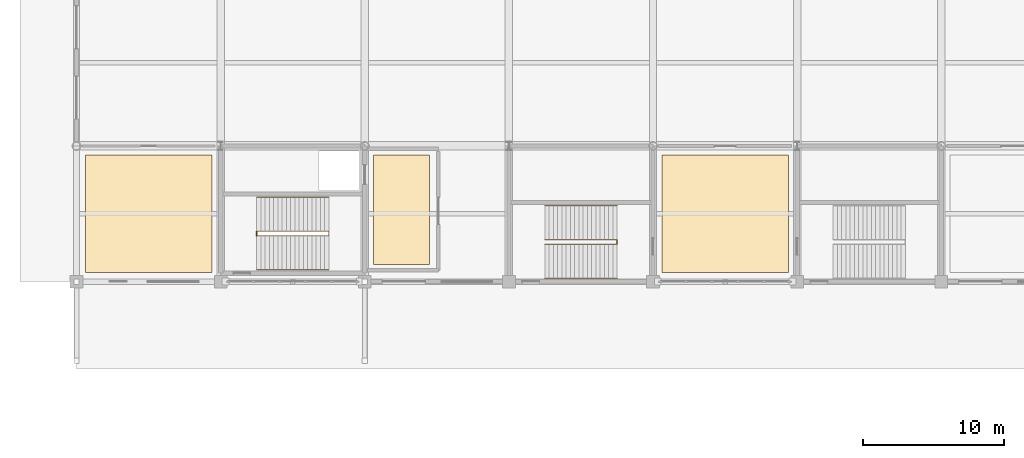
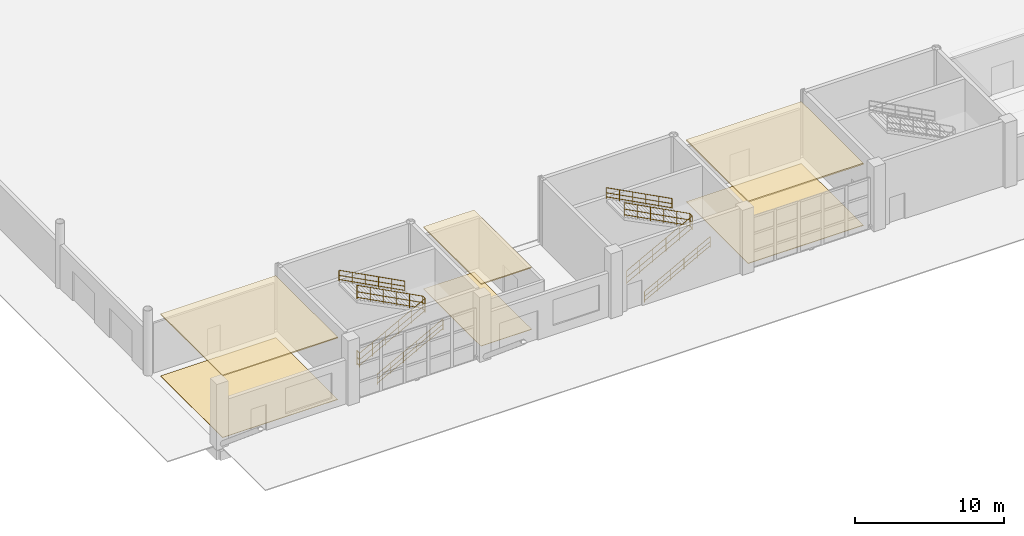
# One storey, part 108 of 124: 7 railings, 6 coverings.
"""IFC4 building model written with IfcOpenShell, lengths in metres."""

from ifc_helpers import new_model, si_unit, direction, frame, origin, origin_2d, place, context, subcontext, project, spatial, polyline, circle, outline, extrude, material, layer, layer_set, type_object, element, save


model = new_model("IFC4")

# Units and contexts
model_context = context("Model", 3, precision=1e-05, world=origin(), true_north=direction((0.0, 1.0)))
body_context = subcontext(model_context, "Body", "Model", "MODEL_VIEW")
ifc_project = project(units=[si_unit("LENGTHUNIT", "METRE"), si_unit("AREAUNIT", "SQUARE_METRE"), si_unit("VOLUMEUNIT", "CUBIC_METRE"), si_unit("PLANEANGLEUNIT", "RADIAN"), si_unit("MASSUNIT", "GRAM", prefix="KILO")], contexts=[model_context])

# Site, building, storey
site_placement = place(None, origin())
site = spatial("IfcSite", under=ifc_project, at=site_placement, CompositionType="ELEMENT")
building_placement = place(site_placement, origin())
building = spatial("IfcBuilding", under=site, at=building_placement, Name="Brelvane Convention Centre", CompositionType="ELEMENT")
storey_placement = place(building_placement, origin())
storey = spatial("IfcBuildingStorey", under=building, at=storey_placement, Name="L00", CompositionType="ELEMENT", Elevation=0.0)

# Coverings
ifc_material_1 = material(Name="Perforated Anodised Aluminium Alloy 6063 Acoustic Baffle", Category="aluminium")
ifc_layer_1 = layer(ifc_material_1, 0.110107421875)
ifc_layer_set_1 = layer_set([ifc_layer_1], Name="Perforated Anodised Aluminium Alloy 6063 Acoustic Baffle")
covering_type_1 = type_object("IfcCoveringType", Name="Interior Finish CL-BAF-110", PredefinedType="CEILING", material=ifc_layer_set_1)
covering_1_placement = place(storey_placement, frame((0.0, 0.0, 5.030029296875)))
element("IfcCovering", 1, at=covering_1_placement, inside=storey, type_object=covering_type_1, Name="Pre-function Foyer West Acoustic Ceiling (CL-BAF-110)", PredefinedType="CEILING", context=body_context, shape_type="SweptSolid", body=[
    extrude(outline(polyline([(41.429931640625, 19.830078125), (50.3701171875, 19.830078125), (50.3701171875, 28.169921875), (41.429931640625, 28.169921875), (41.429931640625, 19.830078125)])), origin(), (0.0, 0.0, 1.0), 0.10986328125),
])
ifc_material_2 = material(Name="Perforated Anodised Aluminium Alloy 6063 Acoustic Baffle", Category="aluminium")
ifc_layer_2 = layer(ifc_material_2, 0.090087890625)
ifc_layer_set_2 = layer_set([ifc_layer_2], Name="Perforated Anodised Aluminium Alloy 6063 Acoustic Baffle")
covering_type_2 = type_object("IfcCoveringType", Name="Interior Finish CL-BAF-90", PredefinedType="CEILING", material=ifc_layer_set_2)
covering_2_placement = place(storey_placement, frame((0.0, 0.0, 5.050048828125)))
element("IfcCovering", 2, at=covering_2_placement, inside=storey, type_object=covering_type_2, Name="Firefighting Lift Lobby C1 Acoustic Ceiling (CL-BAF-90)", PredefinedType="CEILING", context=body_context, shape_type="SweptSolid", body=[
    extrude(outline(polyline([(21.030029296875, 20.429931640625), (24.969970703125, 20.429931640625), (24.969970703125, 28.169921875), (21.030029296875, 28.169921875), (21.030029296875, 20.429931640625)])), origin(), (0.0, 0.0, 1.0), 0.08984375),
])
covering_3_placement = place(storey_placement, frame((0.0, 0.0, 5.050048828125)))
element("IfcCovering", 3, at=covering_3_placement, inside=storey, type_object=covering_type_2, Name="Fire Command Centre Acoustic Ceiling (CL-BAF-90)", PredefinedType="CEILING", context=body_context, shape_type="SweptSolid", body=[
    extrude(outline(polyline([(0.6298828125, 19.830078125), (9.570068359375, 19.830078125), (9.570068359375, 28.169921875), (0.6298828125, 28.169921875), (0.6298828125, 19.830078125)])), origin(), (0.0, 0.0, 1.0), 0.08984375),
])
ifc_material_3 = material(Name="Heavy-Duty Quartz-Filled Industrial Epoxy Screed Grade A")
ifc_layer_3 = layer(ifc_material_3, 0.034912109375)
ifc_layer_set_3 = layer_set([ifc_layer_3], Name="Heavy-Duty Quartz-Filled Industrial Epoxy Screed Grade A")
covering_type_3 = type_object("IfcCoveringType", Name="Interior Finish FL-EPX-35", PredefinedType="FLOORING", material=ifc_layer_set_3)
covering_4_placement = place(storey_placement, origin())
element("IfcCovering", 4, at=covering_4_placement, inside=storey, type_object=covering_type_3, Name="Firefighting Lift Lobby C1 Floor Finish (FL-EPX-35)", PredefinedType="FLOORING", context=body_context, shape_type="SweptSolid", body=[
    extrude(outline(polyline([(21.030029296875, 20.429931640625), (24.969970703125, 20.429931640625), (24.969970703125, 28.169921875), (21.030029296875, 28.169921875), (21.030029296875, 20.429931640625)])), origin(), (0.0, 0.0, 1.0), 0.034912109375),
])
covering_5_placement = place(storey_placement, origin())
element("IfcCovering", 5, at=covering_5_placement, inside=storey, type_object=covering_type_3, Name="Fire Command Centre Floor Finish (FL-EPX-35)", PredefinedType="FLOORING", context=body_context, shape_type="SweptSolid", body=[
    extrude(outline(polyline([(0.6298828125, 19.830078125), (9.570068359375, 19.830078125), (9.570068359375, 28.169921875), (0.6298828125, 28.169921875), (0.6298828125, 19.830078125)])), origin(), (0.0, 0.0, 1.0), 0.034912109375),
])
ifc_material_4 = material(Name="Heavy-Duty Quartz-Filled Industrial Epoxy Screed Grade A")
ifc_layer_4 = layer(ifc_material_4, 0.044921875)
ifc_layer_set_4 = layer_set([ifc_layer_4], Name="Heavy-Duty Quartz-Filled Industrial Epoxy Screed Grade A")
covering_type_4 = type_object("IfcCoveringType", Name="Interior Finish FL-EPX-45", PredefinedType="FLOORING", material=ifc_layer_set_4)
covering_6_placement = place(storey_placement, origin())
element("IfcCovering", 6, at=covering_6_placement, inside=storey, type_object=covering_type_4, Name="Pre-function Foyer West Floor Finish (FL-EPX-45)", PredefinedType="FLOORING", context=body_context, shape_type="SweptSolid", body=[
    extrude(outline(polyline([(41.429931640625, 19.830078125), (50.3701171875, 19.830078125), (50.3701171875, 28.169921875), (41.429931640625, 28.169921875), (41.429931640625, 19.830078125)])), origin(), (0.0, 0.0, 1.0), 0.044921875),
])

# Railings
ifc_material_5 = material(Name="Steel E350 (350 MPa)", Category="steel")
railing_type_1 = type_object("IfcRailingType", Name="Stair Railing GR-ST-1", PredefinedType="GUARDRAIL", material=ifc_material_5)
railing_1_placement = place(storey_placement, frame((12.75, 22.43994140625, -0.02001953125)))
element("IfcRailing", 7, at=railing_1_placement, inside=storey, type_object=railing_type_1, Name="Stair ST-01 L00 Inner Well Guard", PredefinedType="GUARDRAIL", context=body_context, shape_type="SweptSolid", body=[
    extrude(circle(Radius=0.02392578125, at=origin_2d()), frame((0.0, 0.0, 1.1259765625), z_axis=(0.882358787245, 0.0, 0.470577273753), x_axis=(0.0, 1.0, 0.0)), (0.0, 0.0, 1.0), 5.780029296875),
    extrude(circle(Radius=0.02392578125, at=origin_2d()), frame((0.0, 0.0, 0.597900390625), z_axis=(0.882358787245, 0.0, 0.470577273753), x_axis=(0.0, 1.0, 0.0)), (0.0, 0.0, 1.0), 5.780029296875),
    extrude(circle(Radius=0.02392578125, at=origin_2d()), frame((0.0, 0.0, 0.139892578125), z_axis=(0.882358787245, 0.0, 0.470577273753), x_axis=(0.0, 1.0, 0.0)), (0.0, 0.0, 1.0), 5.780029296875),
    extrude(circle(Radius=0.02392578125, at=origin_2d()), frame((5.10009765625, 0.0, 3.845947265625), z_axis=(0.0, 1.0, 0.0), x_axis=(-1.0, 0.0, 0.0)), (0.0, 0.0, 1.0), 0.320068359375),
    extrude(circle(Radius=0.02392578125, at=origin_2d()), frame((5.10009765625, 0.0, 3.31787109375), z_axis=(0.0, 1.0, 0.0), x_axis=(-1.0, 0.0, 0.0)), (0.0, 0.0, 1.0), 0.320068359375),
    extrude(circle(Radius=0.02392578125, at=origin_2d()), frame((5.10009765625, 0.0, 2.85986328125), z_axis=(0.0, 1.0, 0.0), x_axis=(-1.0, 0.0, 0.0)), (0.0, 0.0, 1.0), 0.320068359375),
    extrude(circle(Radius=0.02392578125, at=origin_2d()), frame((5.10009765625, 0.320068359375, 3.845947265625), z_axis=(-0.885227801088, 0.0, 0.465157758379), x_axis=(0.0, -1.0, 0.0)), (0.0, 0.0, 1.0), 5.76123046875),
    extrude(circle(Radius=0.02392578125, at=origin_2d()), frame((5.10009765625, 0.320068359375, 3.31787109375), z_axis=(-0.885227801088, 0.0, 0.465157758379), x_axis=(0.0, -1.0, 0.0)), (0.0, 0.0, 1.0), 5.76123046875),
    extrude(circle(Radius=0.02392578125, at=origin_2d()), frame((5.10009765625, 0.320068359375, 2.85986328125), z_axis=(-0.885227801088, 0.0, 0.465157758379), x_axis=(0.0, -1.0, 0.0)), (0.0, 0.0, 1.0), 5.76123046875),
    extrude(circle(Radius=0.02099609375, at=origin_2d()), origin(), (0.0, 0.0, 1.0), 1.101806640625),
    extrude(circle(Radius=0.02099609375, at=origin_2d()), frame((1.02001953125, 0.0, 0.5439453125)), (0.0, 0.0, 1.0), 1.101806640625),
    extrude(circle(Radius=0.02099609375, at=origin_2d()), frame((2.0400390625, 0.0, 1.087890625)), (0.0, 0.0, 1.0), 1.101806640625),
    extrude(circle(Radius=0.02099609375, at=origin_2d()), frame((3.06005859375, 0.0, 1.632080078125)), (0.0, 0.0, 1.0), 1.101806640625),
    extrude(circle(Radius=0.02099609375, at=origin_2d()), frame((4.080078125, 0.0, 2.176025390625)), (0.0, 0.0, 1.0), 1.101806640625),
    extrude(circle(Radius=0.02099609375, at=origin_2d()), frame((5.10009765625, 0.0, 2.719970703125)), (0.0, 0.0, 1.0), 1.101806640625),
    extrude(circle(Radius=0.02099609375, at=origin_2d()), frame((5.10009765625, 0.320068359375, 2.719970703125)), (0.0, 0.0, 1.0), 1.101806640625),
    extrude(circle(Radius=0.02099609375, at=origin_2d()), frame((4.080078125, 0.320068359375, 3.255859375)), (0.0, 0.0, 1.0), 1.101806640625),
    extrude(circle(Radius=0.02099609375, at=origin_2d()), frame((3.06005859375, 0.320068359375, 3.7919921875)), (0.0, 0.0, 1.0), 1.101806640625),
    extrude(circle(Radius=0.02099609375, at=origin_2d()), frame((2.0400390625, 0.320068359375, 4.327880859375)), (0.0, 0.0, 1.0), 1.101806640625),
    extrude(circle(Radius=0.02099609375, at=origin_2d()), frame((1.02001953125, 0.320068359375, 4.864013671875)), (0.0, 0.0, 1.0), 1.101806640625),
    extrude(circle(Radius=0.02099609375, at=origin_2d()), frame((0.0, 0.320068359375, 5.39990234375)), (0.0, 0.0, 1.0), 1.101806640625),
])
railing_2_placement = place(storey_placement, frame((33.14990234375, 21.840087890625, -0.02001953125)))
element("IfcRailing", 8, at=railing_2_placement, inside=storey, type_object=railing_type_1, Name="Stair ST-19 L00 Inner Well Guard", PredefinedType="GUARDRAIL", context=body_context, shape_type="SweptSolid", body=[
    extrude(circle(Radius=0.02392578125, at=origin_2d()), frame((0.0, 0.0, 1.1259765625), z_axis=(0.882358787245, 0.0, 0.470577273753), x_axis=(0.0, 1.0, 0.0)), (0.0, 0.0, 1.0), 5.780029296875),
    extrude(circle(Radius=0.02392578125, at=origin_2d()), frame((0.0, 0.0, 0.597900390625), z_axis=(0.882358787245, 0.0, 0.470577273753), x_axis=(0.0, 1.0, 0.0)), (0.0, 0.0, 1.0), 5.780029296875),
    extrude(circle(Radius=0.02392578125, at=origin_2d()), frame((0.0, 0.0, 0.139892578125), z_axis=(0.882358787245, 0.0, 0.470577273753), x_axis=(0.0, 1.0, 0.0)), (0.0, 0.0, 1.0), 5.780029296875),
    extrude(circle(Radius=0.02392578125, at=origin_2d()), frame((5.10009765625, 0.0, 3.845947265625), z_axis=(0.0, 1.0, 0.0), x_axis=(-1.0, 0.0, 0.0)), (0.0, 0.0, 1.0), 0.31982421875),
    extrude(circle(Radius=0.02392578125, at=origin_2d()), frame((5.10009765625, 0.0, 3.31787109375), z_axis=(0.0, 1.0, 0.0), x_axis=(-1.0, 0.0, 0.0)), (0.0, 0.0, 1.0), 0.31982421875),
    extrude(circle(Radius=0.02392578125, at=origin_2d()), frame((5.10009765625, 0.0, 2.85986328125), z_axis=(0.0, 1.0, 0.0), x_axis=(-1.0, 0.0, 0.0)), (0.0, 0.0, 1.0), 0.31982421875),
    extrude(circle(Radius=0.02392578125, at=origin_2d()), frame((5.10009765625, 0.31982421875, 3.845947265625), z_axis=(-0.885227801088, 0.0, 0.465157758379), x_axis=(0.0, -1.0, 0.0)), (0.0, 0.0, 1.0), 5.76123046875),
    extrude(circle(Radius=0.02392578125, at=origin_2d()), frame((5.10009765625, 0.31982421875, 3.31787109375), z_axis=(-0.885227801088, 0.0, 0.465157758379), x_axis=(0.0, -1.0, 0.0)), (0.0, 0.0, 1.0), 5.76123046875),
    extrude(circle(Radius=0.02392578125, at=origin_2d()), frame((5.10009765625, 0.31982421875, 2.85986328125), z_axis=(-0.885227801088, 0.0, 0.465157758379), x_axis=(0.0, -1.0, 0.0)), (0.0, 0.0, 1.0), 5.76123046875),
    extrude(circle(Radius=0.02099609375, at=origin_2d()), origin(), (0.0, 0.0, 1.0), 1.101806640625),
    extrude(circle(Radius=0.02099609375, at=origin_2d()), frame((1.02001953125, 0.0, 0.5439453125)), (0.0, 0.0, 1.0), 1.101806640625),
    extrude(circle(Radius=0.02099609375, at=origin_2d()), frame((2.0400390625, 0.0, 1.087890625)), (0.0, 0.0, 1.0), 1.101806640625),
    extrude(circle(Radius=0.02099609375, at=origin_2d()), frame((3.06005859375, 0.0, 1.632080078125)), (0.0, 0.0, 1.0), 1.101806640625),
    extrude(circle(Radius=0.02099609375, at=origin_2d()), frame((4.080078125, 0.0, 2.176025390625)), (0.0, 0.0, 1.0), 1.101806640625),
    extrude(circle(Radius=0.02099609375, at=origin_2d()), frame((5.10009765625, 0.0, 2.719970703125)), (0.0, 0.0, 1.0), 1.101806640625),
    extrude(circle(Radius=0.02099609375, at=origin_2d()), frame((5.10009765625, 0.31982421875, 2.719970703125)), (0.0, 0.0, 1.0), 1.101806640625),
    extrude(circle(Radius=0.02099609375, at=origin_2d()), frame((4.080078125, 0.31982421875, 3.255859375)), (0.0, 0.0, 1.0), 1.101806640625),
    extrude(circle(Radius=0.02099609375, at=origin_2d()), frame((3.06005859375, 0.31982421875, 3.7919921875)), (0.0, 0.0, 1.0), 1.101806640625),
    extrude(circle(Radius=0.02099609375, at=origin_2d()), frame((2.0400390625, 0.31982421875, 4.327880859375)), (0.0, 0.0, 1.0), 1.101806640625),
    extrude(circle(Radius=0.02099609375, at=origin_2d()), frame((1.02001953125, 0.31982421875, 4.864013671875)), (0.0, 0.0, 1.0), 1.101806640625),
    extrude(circle(Radius=0.02099609375, at=origin_2d()), frame((0.0, 0.31982421875, 5.39990234375)), (0.0, 0.0, 1.0), 1.101806640625),
])
ifc_material_6 = material(Name="Steel E350 (350 MPa)", Category="steel")
railing_type_2 = type_object("IfcRailingType", Name="Stair Railing GR-ST-2", PredefinedType="GUARDRAIL", material=ifc_material_6)
railing_3_placement = place(storey_placement, frame((12.75, 22.43994140625, -0.02001953125)))
element("IfcRailing", 9, at=railing_3_placement, inside=storey, type_object=railing_type_2, Name="Stair ST-01 L00 Landing Well Guard", PredefinedType="GUARDRAIL", context=body_context, shape_type="SweptSolid", body=[
    extrude(circle(Radius=0.02392578125, at=origin_2d()), frame((0.0, 0.0, 1.15576171875), z_axis=(0.0, 1.0, 0.0), x_axis=(-1.0, 0.0, 0.0)), (0.0, 0.0, 1.0), 0.320068359375),
    extrude(circle(Radius=0.02392578125, at=origin_2d()), frame((0.0, 0.0, 0.613525390625), z_axis=(0.0, 1.0, 0.0), x_axis=(-1.0, 0.0, 0.0)), (0.0, 0.0, 1.0), 0.320068359375),
    extrude(circle(Radius=0.02392578125, at=origin_2d()), frame((0.0, 0.0, 0.139892578125), z_axis=(0.0, 1.0, 0.0), x_axis=(-1.0, 0.0, 0.0)), (0.0, 0.0, 1.0), 0.320068359375),
    extrude(circle(Radius=0.02099609375, at=origin_2d()), origin(), (0.0, 0.0, 1.0), 1.1318359375),
    extrude(circle(Radius=0.02099609375, at=origin_2d()), frame((0.0, 0.320068359375, 0.0)), (0.0, 0.0, 1.0), 1.1318359375),
])
ifc_material_7 = material(Name="Steel E350 (350 MPa)", Category="steel")
railing_type_3 = type_object("IfcRailingType", Name="Stair Railing HR-ST-1", PredefinedType="HANDRAIL", material=ifc_material_7)
railing_4_placement = place(storey_placement, frame((12.75, 20.030029296875, -0.02001953125)))
element("IfcRailing", 10, at=railing_4_placement, inside=storey, type_object=railing_type_3, Name="Stair ST-01 L00 Outer Handrail F1", PredefinedType="HANDRAIL", context=body_context, shape_type="SweptSolid", body=[
    extrude(circle(Radius=0.02392578125, at=origin_2d()), frame((0.0, 0.0, 0.89599609375), z_axis=(0.882358787245, 0.0, 0.470577273753), x_axis=(0.0, 1.0, 0.0)), (0.0, 0.0, 1.0), 5.780029296875),
    extrude(circle(Radius=0.02392578125, at=origin_2d()), frame((0.0, 0.0, 0.478271484375), z_axis=(0.882358787245, 0.0, 0.470577273753), x_axis=(0.0, 1.0, 0.0)), (0.0, 0.0, 1.0), 5.780029296875),
    extrude(circle(Radius=0.02392578125, at=origin_2d()), frame((0.0, 0.0, 0.139892578125), z_axis=(0.882358787245, 0.0, 0.470577273753), x_axis=(0.0, 1.0, 0.0)), (0.0, 0.0, 1.0), 5.780029296875),
    extrude(circle(Radius=0.02099609375, at=origin_2d()), origin(), (0.0, 0.0, 1.0), 0.871826171875),
    extrude(circle(Radius=0.02099609375, at=origin_2d()), frame((1.02001953125, 0.0, 0.5439453125)), (0.0, 0.0, 1.0), 0.871826171875),
    extrude(circle(Radius=0.02099609375, at=origin_2d()), frame((2.0400390625, 0.0, 1.087890625)), (0.0, 0.0, 1.0), 0.871826171875),
    extrude(circle(Radius=0.02099609375, at=origin_2d()), frame((3.06005859375, 0.0, 1.632080078125)), (0.0, 0.0, 1.0), 0.871826171875),
    extrude(circle(Radius=0.02099609375, at=origin_2d()), frame((4.080078125, 0.0, 2.176025390625)), (0.0, 0.0, 1.0), 0.871826171875),
    extrude(circle(Radius=0.02099609375, at=origin_2d()), frame((5.10009765625, 0.0, 2.719970703125)), (0.0, 0.0, 1.0), 0.871826171875),
])
railing_5_placement = place(storey_placement, frame((17.85009765625, 25.169921875, 2.699951171875)))
element("IfcRailing", 11, at=railing_5_placement, inside=storey, type_object=railing_type_3, Name="Stair ST-01 L00 Outer Handrail F2", PredefinedType="HANDRAIL", context=body_context, shape_type="SweptSolid", body=[
    extrude(circle(Radius=0.02392578125, at=origin_2d()), frame((0.0, 0.0, 0.89599609375), z_axis=(-0.885227801088, 0.0, 0.465157758379), x_axis=(0.0, -1.0, 0.0)), (0.0, 0.0, 1.0), 5.76123046875),
    extrude(circle(Radius=0.02392578125, at=origin_2d()), frame((0.0, 0.0, 0.478271484375), z_axis=(-0.885227801088, 0.0, 0.465157758379), x_axis=(0.0, -1.0, 0.0)), (0.0, 0.0, 1.0), 5.76123046875),
    extrude(circle(Radius=0.02392578125, at=origin_2d()), frame((0.0, 0.0, 0.139892578125), z_axis=(-0.885227801088, 0.0, 0.465157758379), x_axis=(0.0, -1.0, 0.0)), (0.0, 0.0, 1.0), 5.76123046875),
    extrude(circle(Radius=0.02099609375, at=origin_2d()), origin(), (0.0, 0.0, 1.0), 0.871826171875),
    extrude(circle(Radius=0.02099609375, at=origin_2d()), frame((-1.02001953125, 0.0, 0.535888671875)), (0.0, 0.0, 1.0), 0.871826171875),
    extrude(circle(Radius=0.02099609375, at=origin_2d()), frame((-2.0400390625, 0.0, 1.072021484375)), (0.0, 0.0, 1.0), 0.871826171875),
    extrude(circle(Radius=0.02099609375, at=origin_2d()), frame((-3.06005859375, 0.0, 1.60791015625)), (0.0, 0.0, 1.0), 0.871826171875),
    extrude(circle(Radius=0.02099609375, at=origin_2d()), frame((-4.080078125, 0.0, 2.14404296875)), (0.0, 0.0, 1.0), 0.871826171875),
    extrude(circle(Radius=0.02099609375, at=origin_2d()), frame((-5.10009765625, 0.0, 2.679931640625)), (0.0, 0.0, 1.0), 0.871826171875),
])
railing_6_placement = place(storey_placement, frame((33.14990234375, 19.429931640625, -0.02001953125)))
element("IfcRailing", 12, at=railing_6_placement, inside=storey, type_object=railing_type_3, Name="Stair ST-19 L00 Outer Handrail F1", PredefinedType="HANDRAIL", context=body_context, shape_type="SweptSolid", body=[
    extrude(circle(Radius=0.02392578125, at=origin_2d()), frame((0.0, 0.0, 0.89599609375), z_axis=(0.882358787245, 0.0, 0.470577273753), x_axis=(0.0, 1.0, 0.0)), (0.0, 0.0, 1.0), 5.780029296875),
    extrude(circle(Radius=0.02392578125, at=origin_2d()), frame((0.0, 0.0, 0.478271484375), z_axis=(0.882358787245, 0.0, 0.470577273753), x_axis=(0.0, 1.0, 0.0)), (0.0, 0.0, 1.0), 5.780029296875),
    extrude(circle(Radius=0.02392578125, at=origin_2d()), frame((0.0, 0.0, 0.139892578125), z_axis=(0.882358787245, 0.0, 0.470577273753), x_axis=(0.0, 1.0, 0.0)), (0.0, 0.0, 1.0), 5.780029296875),
    extrude(circle(Radius=0.02099609375, at=origin_2d()), origin(), (0.0, 0.0, 1.0), 0.871826171875),
    extrude(circle(Radius=0.02099609375, at=origin_2d()), frame((1.02001953125, 0.0, 0.5439453125)), (0.0, 0.0, 1.0), 0.871826171875),
    extrude(circle(Radius=0.02099609375, at=origin_2d()), frame((2.0400390625, 0.0, 1.087890625)), (0.0, 0.0, 1.0), 0.871826171875),
    extrude(circle(Radius=0.02099609375, at=origin_2d()), frame((3.06005859375, 0.0, 1.632080078125)), (0.0, 0.0, 1.0), 0.871826171875),
    extrude(circle(Radius=0.02099609375, at=origin_2d()), frame((4.080078125, 0.0, 2.176025390625)), (0.0, 0.0, 1.0), 0.871826171875),
    extrude(circle(Radius=0.02099609375, at=origin_2d()), frame((5.10009765625, 0.0, 2.719970703125)), (0.0, 0.0, 1.0), 0.871826171875),
])
railing_7_placement = place(storey_placement, frame((38.25, 24.570068359375, 2.699951171875)))
element("IfcRailing", 13, at=railing_7_placement, inside=storey, type_object=railing_type_3, Name="Stair ST-19 L00 Outer Handrail F2", PredefinedType="HANDRAIL", context=body_context, shape_type="SweptSolid", body=[
    extrude(circle(Radius=0.02392578125, at=origin_2d()), frame((0.0, 0.0, 0.89599609375), z_axis=(-0.885227801088, 0.0, 0.465157758379), x_axis=(0.0, -1.0, 0.0)), (0.0, 0.0, 1.0), 5.76123046875),
    extrude(circle(Radius=0.02392578125, at=origin_2d()), frame((0.0, 0.0, 0.478271484375), z_axis=(-0.885227801088, 0.0, 0.465157758379), x_axis=(0.0, -1.0, 0.0)), (0.0, 0.0, 1.0), 5.76123046875),
    extrude(circle(Radius=0.02392578125, at=origin_2d()), frame((0.0, 0.0, 0.139892578125), z_axis=(-0.885227801088, 0.0, 0.465157758379), x_axis=(0.0, -1.0, 0.0)), (0.0, 0.0, 1.0), 5.76123046875),
    extrude(circle(Radius=0.02099609375, at=origin_2d()), origin(), (0.0, 0.0, 1.0), 0.871826171875),
    extrude(circle(Radius=0.02099609375, at=origin_2d()), frame((-1.02001953125, 0.0, 0.535888671875)), (0.0, 0.0, 1.0), 0.871826171875),
    extrude(circle(Radius=0.02099609375, at=origin_2d()), frame((-2.0400390625, 0.0, 1.072021484375)), (0.0, 0.0, 1.0), 0.871826171875),
    extrude(circle(Radius=0.02099609375, at=origin_2d()), frame((-3.06005859375, 0.0, 1.60791015625)), (0.0, 0.0, 1.0), 0.871826171875),
    extrude(circle(Radius=0.02099609375, at=origin_2d()), frame((-4.080078125, 0.0, 2.14404296875)), (0.0, 0.0, 1.0), 0.871826171875),
    extrude(circle(Radius=0.02099609375, at=origin_2d()), frame((-5.10009765625, 0.0, 2.679931640625)), (0.0, 0.0, 1.0), 0.871826171875),
])

save(model, "model.ifc")
